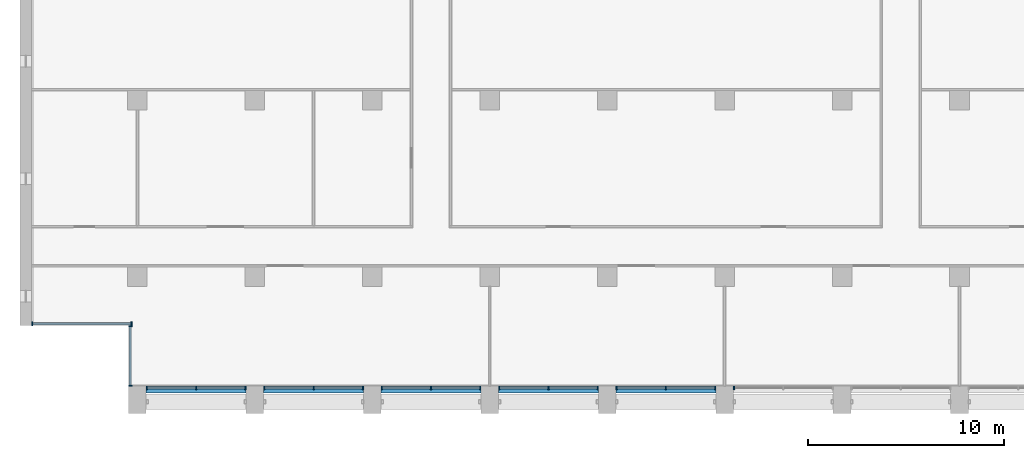
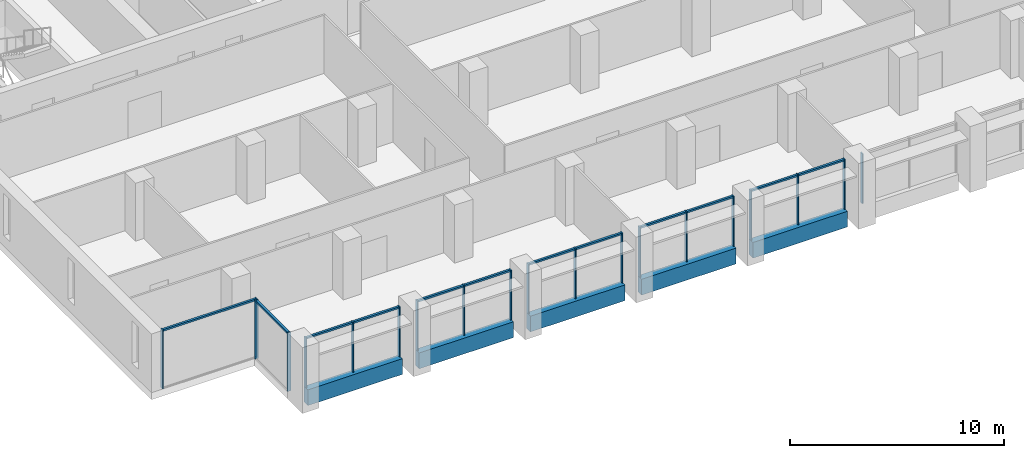
# One storey, part 2 of 17: 32 members, 5 beams, 8 elements without a shape of their own.
"""IFC4 building model written with IfcOpenShell, lengths in metres."""

from ifc_helpers import new_model, si_unit, direction, frame, origin, origin_2d, place, context, subcontext, project, spatial, rectangle, extrude, material, material_profile, profile_set, type_object, element, aggregate, save


model = new_model("IFC4")

# Units and contexts
model_context = context("Model", 3, precision=1e-05, world=origin(), true_north=direction((0.0, 1.0)))
body_context = subcontext(model_context, "Body", "Model", "MODEL_VIEW")
ifc_project = project(units=[si_unit("LENGTHUNIT", "METRE"), si_unit("AREAUNIT", "SQUARE_METRE"), si_unit("VOLUMEUNIT", "CUBIC_METRE"), si_unit("PLANEANGLEUNIT", "RADIAN"), si_unit("MASSUNIT", "GRAM", prefix="KILO")], contexts=[model_context])

# Site, building, storey
site_placement = place(None, origin())
site = spatial("IfcSite", under=ifc_project, at=site_placement, CompositionType="ELEMENT")
building_placement = place(site_placement, origin())
building = spatial("IfcBuilding", under=site, at=building_placement, Name="Calvaro Tower", CompositionType="ELEMENT")
storey_placement = place(building_placement, frame((0.0, 0.0, 211.75)))
storey = spatial("IfcBuildingStorey", under=building, at=storey_placement, Name="L53", CompositionType="ELEMENT", Elevation=211.75)

# Curtain wall, members
ifc_material_1 = material(Name="Anodised aluminium", Category="aluminium")
curtain_wall_type = type_object("IfcCurtainWallType", Name="Office curtain wall, upper zone", PredefinedType="NOTDEFINED", material=ifc_material_1)
curtain_wall_1_placement = place(storey_placement, origin())
curtain_wall_1 = element("IfcCurtainWall", 1, at=curtain_wall_1_placement, inside=storey, type_object=curtain_wall_type, Name="CW3 south curtain wall", PredefinedType="NOTDEFINED")
ifc_material_2 = material(Name="Anodised aluminium", Category="aluminium")
ifc_material_profile_1 = material_profile(ifc_material_2, rectangle(XDim=0.179931640625, YDim=0.06005859375, at=origin_2d()), Name="Mullion S3 60 x 180")
ifc_profile_set_1 = profile_set([ifc_material_profile_1], Name="Anodised aluminium")
member_type_1 = type_object("IfcMemberType", Name="Mullion S3 60 x 180", PredefinedType="MULLION", material=ifc_profile_set_1)
member_1_placement = place(storey_placement, frame((12.47998046875, 4.31005859375, 0.0), z_axis=(0.0, 0.0, 1.0), x_axis=(0.0, 1.0, 0.0)))
member_1 = element("IfcMember", 2, at=member_1_placement, type_object=member_type_1, Name="CW3 mullion 1", PredefinedType="MULLION", context=body_context, shape_type="SweptSolid", body=[
    extrude(rectangle(XDim=0.179931640625, YDim=0.06005859375, at=origin_2d()), origin(), (0.0, 0.0, 1.0), 2.85009765625),
])
member_2_placement = place(storey_placement, frame((15.0, 4.31005859375, 0.0), z_axis=(0.0, 0.0, 1.0), x_axis=(0.0, 1.0, 0.0)))
member_2 = element("IfcMember", 3, at=member_2_placement, type_object=member_type_1, Name="CW3 mullion 2", PredefinedType="MULLION", context=body_context, shape_type="SweptSolid", body=[
    extrude(rectangle(XDim=0.179931640625, YDim=0.06005859375, at=origin_2d()), origin(), (0.0, 0.0, 1.0), 2.85009765625),
])
member_3_placement = place(storey_placement, frame((17.52001953125, 4.31005859375, 0.0), z_axis=(0.0, 0.0, 1.0), x_axis=(0.0, 1.0, 0.0)))
member_3 = element("IfcMember", 4, at=member_3_placement, type_object=member_type_1, Name="CW3 mullion 3", PredefinedType="MULLION", context=body_context, shape_type="SweptSolid", body=[
    extrude(rectangle(XDim=0.179931640625, YDim=0.06005859375, at=origin_2d()), origin(), (0.0, 0.0, 1.0), 2.85009765625),
])

curtain_wall_2_placement = place(storey_placement, origin())
curtain_wall_2 = element("IfcCurtainWall", 5, at=curtain_wall_2_placement, inside=storey, type_object=curtain_wall_type, Name="CW3 south curtain wall", PredefinedType="NOTDEFINED")
member_4_placement = place(storey_placement, frame((18.47998046875, 4.31005859375, 0.0), z_axis=(0.0, 0.0, 1.0), x_axis=(0.0, 1.0, 0.0)))
member_4 = element("IfcMember", 6, at=member_4_placement, type_object=member_type_1, Name="CW3 mullion 1", PredefinedType="MULLION", context=body_context, shape_type="SweptSolid", body=[
    extrude(rectangle(XDim=0.179931640625, YDim=0.06005859375, at=origin_2d()), origin(), (0.0, 0.0, 1.0), 2.85009765625),
])
member_5_placement = place(storey_placement, frame((21.0, 4.31005859375, 0.0), z_axis=(0.0, 0.0, 1.0), x_axis=(0.0, 1.0, 0.0)))
member_5 = element("IfcMember", 7, at=member_5_placement, type_object=member_type_1, Name="CW3 mullion 2", PredefinedType="MULLION", context=body_context, shape_type="SweptSolid", body=[
    extrude(rectangle(XDim=0.179931640625, YDim=0.06005859375, at=origin_2d()), origin(), (0.0, 0.0, 1.0), 2.85009765625),
])
member_6_placement = place(storey_placement, frame((23.52001953125, 4.31005859375, 0.0), z_axis=(0.0, 0.0, 1.0), x_axis=(0.0, 1.0, 0.0)))
member_6 = element("IfcMember", 8, at=member_6_placement, type_object=member_type_1, Name="CW3 mullion 3", PredefinedType="MULLION", context=body_context, shape_type="SweptSolid", body=[
    extrude(rectangle(XDim=0.179931640625, YDim=0.06005859375, at=origin_2d()), origin(), (0.0, 0.0, 1.0), 2.85009765625),
])

curtain_wall_3_placement = place(storey_placement, origin())
curtain_wall_3 = element("IfcCurtainWall", 9, at=curtain_wall_3_placement, inside=storey, type_object=curtain_wall_type, Name="CW3 south curtain wall", PredefinedType="NOTDEFINED")
member_7_placement = place(storey_placement, frame((24.47998046875, 4.31005859375, 0.0), z_axis=(0.0, 0.0, 1.0), x_axis=(0.0, 1.0, 0.0)))
member_7 = element("IfcMember", 10, at=member_7_placement, type_object=member_type_1, Name="CW3 mullion 1", PredefinedType="MULLION", context=body_context, shape_type="SweptSolid", body=[
    extrude(rectangle(XDim=0.179931640625, YDim=0.06005859375, at=origin_2d()), origin(), (0.0, 0.0, 1.0), 2.85009765625),
])
member_8_placement = place(storey_placement, frame((27.0, 4.31005859375, 0.0), z_axis=(0.0, 0.0, 1.0), x_axis=(0.0, 1.0, 0.0)))
member_8 = element("IfcMember", 11, at=member_8_placement, type_object=member_type_1, Name="CW3 mullion 2", PredefinedType="MULLION", context=body_context, shape_type="SweptSolid", body=[
    extrude(rectangle(XDim=0.179931640625, YDim=0.06005859375, at=origin_2d()), origin(), (0.0, 0.0, 1.0), 2.85009765625),
])
member_9_placement = place(storey_placement, frame((29.52001953125, 4.31005859375, 0.0), z_axis=(0.0, 0.0, 1.0), x_axis=(0.0, 1.0, 0.0)))
member_9 = element("IfcMember", 12, at=member_9_placement, type_object=member_type_1, Name="CW3 mullion 3", PredefinedType="MULLION", context=body_context, shape_type="SweptSolid", body=[
    extrude(rectangle(XDim=0.179931640625, YDim=0.06005859375, at=origin_2d()), origin(), (0.0, 0.0, 1.0), 2.85009765625),
])

curtain_wall_4_placement = place(storey_placement, origin())
curtain_wall_4 = element("IfcCurtainWall", 13, at=curtain_wall_4_placement, inside=storey, type_object=curtain_wall_type, Name="CW3 south curtain wall", PredefinedType="NOTDEFINED")
member_10_placement = place(storey_placement, frame((30.47998046875, 4.31005859375, 0.0), z_axis=(0.0, 0.0, 1.0), x_axis=(0.0, 1.0, 0.0)))
member_10 = element("IfcMember", 14, at=member_10_placement, type_object=member_type_1, Name="CW3 mullion 1", PredefinedType="MULLION", context=body_context, shape_type="SweptSolid", body=[
    extrude(rectangle(XDim=0.179931640625, YDim=0.06005859375, at=origin_2d()), origin(), (0.0, 0.0, 1.0), 2.85009765625),
])
member_11_placement = place(storey_placement, frame((33.0, 4.31005859375, 0.0), z_axis=(0.0, 0.0, 1.0), x_axis=(0.0, 1.0, 0.0)))
member_11 = element("IfcMember", 15, at=member_11_placement, type_object=member_type_1, Name="CW3 mullion 2", PredefinedType="MULLION", context=body_context, shape_type="SweptSolid", body=[
    extrude(rectangle(XDim=0.179931640625, YDim=0.06005859375, at=origin_2d()), origin(), (0.0, 0.0, 1.0), 2.85009765625),
])
member_12_placement = place(storey_placement, frame((35.52001953125, 4.31005859375, 0.0), z_axis=(0.0, 0.0, 1.0), x_axis=(0.0, 1.0, 0.0)))
member_12 = element("IfcMember", 16, at=member_12_placement, type_object=member_type_1, Name="CW3 mullion 3", PredefinedType="MULLION", context=body_context, shape_type="SweptSolid", body=[
    extrude(rectangle(XDim=0.179931640625, YDim=0.06005859375, at=origin_2d()), origin(), (0.0, 0.0, 1.0), 2.85009765625),
])

curtain_wall_5_placement = place(storey_placement, origin())
curtain_wall_5 = element("IfcCurtainWall", 17, at=curtain_wall_5_placement, inside=storey, type_object=curtain_wall_type, Name="CW3 south curtain wall", PredefinedType="NOTDEFINED")
member_13_placement = place(storey_placement, frame((36.47998046875, 4.31005859375, 0.0), z_axis=(0.0, 0.0, 1.0), x_axis=(0.0, 1.0, 0.0)))
member_13 = element("IfcMember", 18, at=member_13_placement, type_object=member_type_1, Name="CW3 mullion 1", PredefinedType="MULLION", context=body_context, shape_type="SweptSolid", body=[
    extrude(rectangle(XDim=0.179931640625, YDim=0.06005859375, at=origin_2d()), origin(), (0.0, 0.0, 1.0), 2.85009765625),
])
member_14_placement = place(storey_placement, frame((39.0, 4.31005859375, 0.0), z_axis=(0.0, 0.0, 1.0), x_axis=(0.0, 1.0, 0.0)))
member_14 = element("IfcMember", 19, at=member_14_placement, type_object=member_type_1, Name="CW3 mullion 2", PredefinedType="MULLION", context=body_context, shape_type="SweptSolid", body=[
    extrude(rectangle(XDim=0.179931640625, YDim=0.06005859375, at=origin_2d()), origin(), (0.0, 0.0, 1.0), 2.85009765625),
])
member_15_placement = place(storey_placement, frame((41.52001953125, 4.31005859375, 0.0), z_axis=(0.0, 0.0, 1.0), x_axis=(0.0, 1.0, 0.0)))
member_15 = element("IfcMember", 20, at=member_15_placement, type_object=member_type_1, Name="CW3 mullion 3", PredefinedType="MULLION", context=body_context, shape_type="SweptSolid", body=[
    extrude(rectangle(XDim=0.179931640625, YDim=0.06005859375, at=origin_2d()), origin(), (0.0, 0.0, 1.0), 2.85009765625),
])

# Curtain wall, member
curtain_wall_6_placement = place(storey_placement, origin())
curtain_wall_6 = element("IfcCurtainWall", 21, at=curtain_wall_6_placement, inside=storey, type_object=curtain_wall_type, Name="CW3 south curtain wall", PredefinedType="NOTDEFINED")
member_16_placement = place(storey_placement, frame((42.47998046875, 4.31005859375, 0.0), z_axis=(0.0, 0.0, 1.0), x_axis=(0.0, 1.0, 0.0)))
member_16 = element("IfcMember", 22, at=member_16_placement, type_object=member_type_1, Name="CW3 mullion 1", PredefinedType="MULLION", context=body_context, shape_type="SweptSolid", body=[
    extrude(rectangle(XDim=0.179931640625, YDim=0.06005859375, at=origin_2d()), origin(), (0.0, 0.0, 1.0), 2.85009765625),
])
aggregate(curtain_wall_6, [member_16])

# Curtain wall, members
curtain_wall_7_placement = place(storey_placement, origin())
curtain_wall_7 = element("IfcCurtainWall", 23, at=curtain_wall_7_placement, inside=storey, type_object=curtain_wall_type, Name="CW3 corner curtain wall", PredefinedType="NOTDEFINED")
member_17_placement = place(storey_placement, frame((11.639892578125, 4.429931640625, 0.0), z_axis=(0.0, 0.0, 1.0), x_axis=(-1.0, 0.0, 0.0)))
member_17 = element("IfcMember", 24, at=member_17_placement, type_object=member_type_1, Name="CW3 mullion 1", PredefinedType="MULLION", context=body_context, shape_type="SweptSolid", body=[
    extrude(rectangle(XDim=0.179931640625, YDim=0.06005859375, at=origin_2d()), origin(), (0.0, 0.0, 1.0), 3.35009765625),
])
member_18_placement = place(storey_placement, frame((11.639892578125, 7.469970703125, 0.0), z_axis=(0.0, 0.0, 1.0), x_axis=(-1.0, 0.0, 0.0)))
member_18 = element("IfcMember", 25, at=member_18_placement, type_object=member_type_1, Name="CW3 mullion 2", PredefinedType="MULLION", context=body_context, shape_type="SweptSolid", body=[
    extrude(rectangle(XDim=0.179931640625, YDim=0.06005859375, at=origin_2d()), origin(), (0.0, 0.0, 1.0), 3.35009765625),
])

curtain_wall_8_placement = place(storey_placement, origin())
curtain_wall_8 = element("IfcCurtainWall", 26, at=curtain_wall_8_placement, inside=storey, type_object=curtain_wall_type, Name="CW3 corner curtain wall", PredefinedType="NOTDEFINED")
member_19_placement = place(storey_placement, frame((6.6298828125, 7.590087890625, 0.0), z_axis=(0.0, 0.0, 1.0), x_axis=(0.0, 1.0, 0.0)))
member_19 = element("IfcMember", 27, at=member_19_placement, type_object=member_type_1, Name="CW3 mullion 1", PredefinedType="MULLION", context=body_context, shape_type="SweptSolid", body=[
    extrude(rectangle(XDim=0.179931640625, YDim=0.06005859375, at=origin_2d()), origin(), (0.0, 0.0, 1.0), 3.35009765625),
])
member_20_placement = place(storey_placement, frame((11.699951171875, 7.590087890625, 0.0), z_axis=(0.0, 0.0, 1.0), x_axis=(0.0, 1.0, 0.0)))
member_20 = element("IfcMember", 28, at=member_20_placement, type_object=member_type_1, Name="CW3 mullion 2", PredefinedType="MULLION", context=body_context, shape_type="SweptSolid", body=[
    extrude(rectangle(XDim=0.179931640625, YDim=0.06005859375, at=origin_2d()), origin(), (0.0, 0.0, 1.0), 3.35009765625),
])

# Beams
ifc_material_3 = material(Name="Concrete C50/60 precast", Category="concrete")
ifc_material_profile_2 = material_profile(ifc_material_3, rectangle(XDim=0.35009765625, YDim=0.89990234375, at=origin_2d()), Name="RC 350x900")
ifc_profile_set_2 = profile_set([ifc_material_profile_2], Name="Concrete C50/60 precast")
beam_type = type_object("IfcBeamType", Name="Spandrel beam 350x900 C50/60", PredefinedType="SPANDREL", material=ifc_profile_set_2)
for number, where, z_axis, x_axis, name in (
    (29, (12.449951171875, 4.22509765625, -0.449951171875), (1.0, 0.0, 0.0), (0.0, 1.0, 0.0), "Spandrel beam"),
    (30, (18.449951171875, 4.22509765625, -0.449951171875), (1.0, 0.0, 0.0), (0.0, 1.0, 0.0), "Spandrel beam"),
    (31, (24.449951171875, 4.22509765625, -0.449951171875), (1.0, 0.0, 0.0), (0.0, 1.0, 0.0), "Spandrel beam"),
    (32, (30.449951171875, 4.22509765625, -0.449951171875), (1.0, 0.0, 0.0), (0.0, 1.0, 0.0), "Spandrel beam"),
    (33, (36.449951171875, 4.22509765625, -0.449951171875), (1.0, 0.0, 0.0), (0.0, 1.0, 0.0), "Spandrel beam"),
):
    element("IfcBeam", number, at=place(storey_placement, frame(where, z_axis=z_axis, x_axis=x_axis)), inside=storey, type_object=beam_type, Name=name, PredefinedType="SPANDREL", context=body_context, shape_type="SweptSolid", body=[
        extrude(rectangle(XDim=0.35009765625, YDim=0.89990234375, at=origin_2d()), origin(), (0.0, 0.0, 1.0), 5.10009765625),
    ])

# Member
ifc_material_4 = material(Name="Anodised aluminium", Category="aluminium")
ifc_material_profile_3 = material_profile(ifc_material_4, rectangle(XDim=0.1201171875, YDim=0.10009765625, at=origin_2d()), Name="Transom S3 100 x 120")
ifc_profile_set_3 = profile_set([ifc_material_profile_3], Name="Anodised aluminium")
member_type_2 = type_object("IfcMemberType", Name="Transom S3 100 x 120", PredefinedType="USERDEFINED", material=ifc_profile_set_3)
member_21_placement = place(storey_placement, frame((12.510009765625, 4.31005859375, 2.800048828125), z_axis=(1.0, 0.0, 0.0), x_axis=(0.0, 1.0, 0.0)))
member_21 = element("IfcMember", 34, at=member_21_placement, type_object=member_type_2, Name="CW3 transom 1.1", ObjectType="TRANSOM", PredefinedType="USERDEFINED", context=body_context, shape_type="SweptSolid", body=[
    extrude(rectangle(XDim=0.1201171875, YDim=0.10009765625, at=origin_2d()), origin(), (0.0, 0.0, 1.0), 2.4599609375),
])

member_22_placement = place(storey_placement, frame((15.030029296875, 4.31005859375, 2.800048828125), z_axis=(1.0, 0.0, 0.0), x_axis=(0.0, 1.0, 0.0)))
member_22 = element("IfcMember", 35, at=member_22_placement, type_object=member_type_2, Name="CW3 transom 2.1", ObjectType="TRANSOM", PredefinedType="USERDEFINED", context=body_context, shape_type="SweptSolid", body=[
    extrude(rectangle(XDim=0.1201171875, YDim=0.10009765625, at=origin_2d()), origin(), (0.0, 0.0, 1.0), 2.4599609375),
])

aggregate(curtain_wall_1, [member_1, member_2, member_3, member_21, member_22])

member_23_placement = place(storey_placement, frame((18.510009765625, 4.31005859375, 2.800048828125), z_axis=(1.0, 0.0, 0.0), x_axis=(0.0, 1.0, 0.0)))
member_23 = element("IfcMember", 36, at=member_23_placement, type_object=member_type_2, Name="CW3 transom 1.1", ObjectType="TRANSOM", PredefinedType="USERDEFINED", context=body_context, shape_type="SweptSolid", body=[
    extrude(rectangle(XDim=0.1201171875, YDim=0.10009765625, at=origin_2d()), origin(), (0.0, 0.0, 1.0), 2.4599609375),
])

member_24_placement = place(storey_placement, frame((21.030029296875, 4.31005859375, 2.800048828125), z_axis=(1.0, 0.0, 0.0), x_axis=(0.0, 1.0, 0.0)))
member_24 = element("IfcMember", 37, at=member_24_placement, type_object=member_type_2, Name="CW3 transom 2.1", ObjectType="TRANSOM", PredefinedType="USERDEFINED", context=body_context, shape_type="SweptSolid", body=[
    extrude(rectangle(XDim=0.1201171875, YDim=0.10009765625, at=origin_2d()), origin(), (0.0, 0.0, 1.0), 2.4599609375),
])

aggregate(curtain_wall_2, [member_4, member_5, member_6, member_23, member_24])

member_25_placement = place(storey_placement, frame((24.510009765625, 4.31005859375, 2.800048828125), z_axis=(1.0, 0.0, 0.0), x_axis=(0.0, 1.0, 0.0)))
member_25 = element("IfcMember", 38, at=member_25_placement, type_object=member_type_2, Name="CW3 transom 1.1", ObjectType="TRANSOM", PredefinedType="USERDEFINED", context=body_context, shape_type="SweptSolid", body=[
    extrude(rectangle(XDim=0.1201171875, YDim=0.10009765625, at=origin_2d()), origin(), (0.0, 0.0, 1.0), 2.4599609375),
])

member_26_placement = place(storey_placement, frame((27.030029296875, 4.31005859375, 2.800048828125), z_axis=(1.0, 0.0, 0.0), x_axis=(0.0, 1.0, 0.0)))
member_26 = element("IfcMember", 39, at=member_26_placement, type_object=member_type_2, Name="CW3 transom 2.1", ObjectType="TRANSOM", PredefinedType="USERDEFINED", context=body_context, shape_type="SweptSolid", body=[
    extrude(rectangle(XDim=0.1201171875, YDim=0.10009765625, at=origin_2d()), origin(), (0.0, 0.0, 1.0), 2.4599609375),
])

aggregate(curtain_wall_3, [member_7, member_8, member_9, member_25, member_26])

member_27_placement = place(storey_placement, frame((30.510009765625, 4.31005859375, 2.800048828125), z_axis=(1.0, 0.0, 0.0), x_axis=(0.0, 1.0, 0.0)))
member_27 = element("IfcMember", 40, at=member_27_placement, type_object=member_type_2, Name="CW3 transom 1.1", ObjectType="TRANSOM", PredefinedType="USERDEFINED", context=body_context, shape_type="SweptSolid", body=[
    extrude(rectangle(XDim=0.1201171875, YDim=0.10009765625, at=origin_2d()), origin(), (0.0, 0.0, 1.0), 2.4599609375),
])

member_28_placement = place(storey_placement, frame((33.030029296875, 4.31005859375, 2.800048828125), z_axis=(1.0, 0.0, 0.0), x_axis=(0.0, 1.0, 0.0)))
member_28 = element("IfcMember", 41, at=member_28_placement, type_object=member_type_2, Name="CW3 transom 2.1", ObjectType="TRANSOM", PredefinedType="USERDEFINED", context=body_context, shape_type="SweptSolid", body=[
    extrude(rectangle(XDim=0.1201171875, YDim=0.10009765625, at=origin_2d()), origin(), (0.0, 0.0, 1.0), 2.4599609375),
])

aggregate(curtain_wall_4, [member_10, member_11, member_12, member_27, member_28])

member_29_placement = place(storey_placement, frame((36.510009765625, 4.31005859375, 2.800048828125), z_axis=(1.0, 0.0, 0.0), x_axis=(0.0, 1.0, 0.0)))
member_29 = element("IfcMember", 42, at=member_29_placement, type_object=member_type_2, Name="CW3 transom 1.1", ObjectType="TRANSOM", PredefinedType="USERDEFINED", context=body_context, shape_type="SweptSolid", body=[
    extrude(rectangle(XDim=0.1201171875, YDim=0.10009765625, at=origin_2d()), origin(), (0.0, 0.0, 1.0), 2.4599609375),
])

member_30_placement = place(storey_placement, frame((39.030029296875, 4.31005859375, 2.800048828125), z_axis=(1.0, 0.0, 0.0), x_axis=(0.0, 1.0, 0.0)))
member_30 = element("IfcMember", 43, at=member_30_placement, type_object=member_type_2, Name="CW3 transom 2.1", ObjectType="TRANSOM", PredefinedType="USERDEFINED", context=body_context, shape_type="SweptSolid", body=[
    extrude(rectangle(XDim=0.1201171875, YDim=0.10009765625, at=origin_2d()), origin(), (0.0, 0.0, 1.0), 2.4599609375),
])

aggregate(curtain_wall_5, [member_13, member_14, member_15, member_29, member_30])

member_31_placement = place(storey_placement, frame((11.639892578125, 4.4599609375, 3.300048828125), z_axis=(0.0, 1.0, 0.0), x_axis=(-1.0, 0.0, 0.0)))
member_31 = element("IfcMember", 44, at=member_31_placement, type_object=member_type_2, Name="CW3 transom 1.1", ObjectType="TRANSOM", PredefinedType="USERDEFINED", context=body_context, shape_type="SweptSolid", body=[
    extrude(rectangle(XDim=0.1201171875, YDim=0.10009765625, at=origin_2d()), origin(), (0.0, 0.0, 1.0), 2.97998046875),
])

aggregate(curtain_wall_7, [member_17, member_18, member_31])

member_32_placement = place(storey_placement, frame((6.659912109375, 7.590087890625, 3.300048828125), z_axis=(1.0, 0.0, 0.0), x_axis=(0.0, 1.0, 0.0)))
member_32 = element("IfcMember", 45, at=member_32_placement, type_object=member_type_2, Name="CW3 transom 1.1", ObjectType="TRANSOM", PredefinedType="USERDEFINED", context=body_context, shape_type="SweptSolid", body=[
    extrude(rectangle(XDim=0.1201171875, YDim=0.10009765625, at=origin_2d()), origin(), (0.0, 0.0, 1.0), 5.010009765625),
])

aggregate(curtain_wall_8, [member_19, member_20, member_32])

save(model, "model.ifc")
